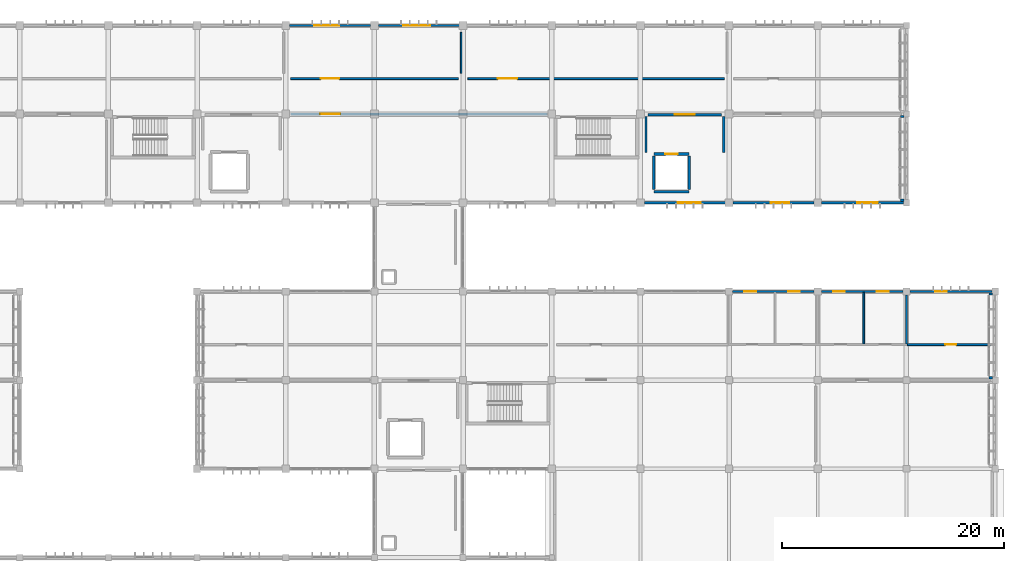
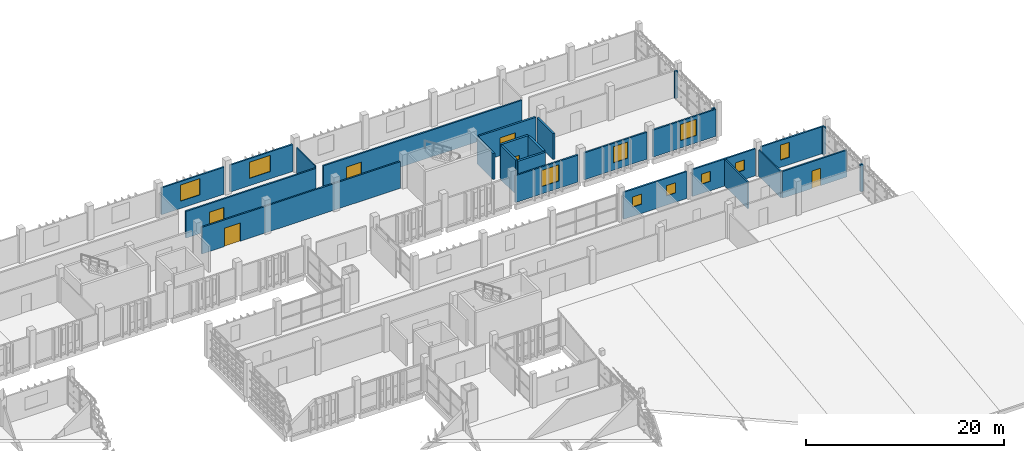
# One storey, part 73 of 83: 26 walls, 10 windows, 6 doors, 16 openings.
"""IFC4 building model written with IfcOpenShell, lengths in metres."""

from ifc_helpers import new_model, si_unit, direction, frame, frame_2d, origin, place, context, subcontext, project, spatial, rectangle, extrude, material, layer, layer_set, type_object, element, fill, save


model = new_model("IFC4")

# Units and contexts
model_context = context("Model", 3, precision=1e-05, world=origin(), true_north=direction((0.0, 1.0)))
body_context = subcontext(model_context, "Body", "Model", "MODEL_VIEW")
ifc_project = project(units=[si_unit("LENGTHUNIT", "METRE"), si_unit("AREAUNIT", "SQUARE_METRE"), si_unit("VOLUMEUNIT", "CUBIC_METRE"), si_unit("PLANEANGLEUNIT", "RADIAN"), si_unit("MASSUNIT", "GRAM", prefix="KILO")], contexts=[model_context])

# Site, building, storey
site_placement = place(None, origin())
site = spatial("IfcSite", under=ifc_project, at=site_placement, CompositionType="ELEMENT")
building_placement = place(site_placement, origin())
building = spatial("IfcBuilding", under=site, at=building_placement, Name="Jelvoka-Kovrelna Polytechnic", CompositionType="ELEMENT")
storey_placement = place(building_placement, frame((0.0, 0.0, 13.800048828125)))
storey = spatial("IfcBuildingStorey", under=building, at=storey_placement, Name="L04", CompositionType="ELEMENT", Elevation=13.800048828125)

# Wall, opening, door
ifc_material_1 = material(Name="Concrete C35/45", Category="concrete")
ifc_layer_1 = layer(ifc_material_1, 0.219970703125)
ifc_layer_set_1 = layer_set([ifc_layer_1], Name="Concrete C35/45")
wall_type_1 = type_object("IfcWallType", Name="Wall_Compartment_220", PredefinedType="PARTITIONING", material=ifc_layer_set_1)
wall_1_placement = place(storey_placement, frame((168.699951171875, 63.949951171875, 0.0), z_axis=(0.0, 0.0, 1.0), x_axis=(1.0, 0.0, 0.0)))
wall_1 = element("IfcWall", 1, at=wall_1_placement, inside=storey, type_object=wall_type_1, Name="L04 interior wall 0360", PredefinedType="PARTITIONING", context=body_context, shape_type="SweptSolid", body=[
    extrude(rectangle(XDim=6.60009765625, YDim=0.219970703125, at=frame_2d((3.300048828125, 0.0))), origin(), (0.0, 0.0, 1.0), 3.27490234375),
])
opening_1_placement = place(wall_1_placement, frame((2.39990234375, 0.0, 0.0)))
opening_1 = element("IfcOpeningElement", 2, at=opening_1_placement, cuts=wall_1, Name="Opening FD-L04-077", PredefinedType="OPENING", context=body_context, shape_type="SweptSolid", body=[
    extrude(rectangle(XDim=1.800048828125, YDim=2.199951171875, at=frame_2d((0.89990234375, 1.10009765625))), frame((0.0, 0.119873046875, 0.0), z_axis=(0.0, -1.0, 0.0), x_axis=(1.0, 0.0, 0.0)), (0.0, 0.0, 1.0), 0.239990234375),
])
ifc_material_2 = material(Name="Paired steel corridor fire door", Category="steel")
door_type_1 = type_object("IfcDoorType", Name="Door_Fire_FD03", OperationType="NOTDEFINED", PredefinedType="DOOR", material=ifc_material_2)
door_1_placement = place(opening_1_placement, origin())
door_1 = element("IfcDoor", 3, at=door_1_placement, inside=storey, type_object=door_type_1, Name="L04 interior door FD-L04-077", OperationType="DOUBLE_DOOR_SINGLE_SWING", OverallHeight=2.199951171875, OverallWidth=1.800048828125, PredefinedType="DOOR", context=body_context, shape_type="SweptSolid", body=[
    extrude(rectangle(XDim=1.800048828125, YDim=2.199951171875, at=frame_2d((0.89990234375, 1.10009765625))), frame((0.0, 0.02490234375, 0.0), z_axis=(0.0, -1.0, 0.0), x_axis=(1.0, 0.0, 0.0)), (0.0, 0.0, 1.0), 0.050048828125),
])
fill(opening_1, door_1)

# Walls
for number, where, z_axis, x_axis, name in (
    (4, (168.5, 60.550048828125, 0.0), (0.0, 0.0, 1.0), (0.0, 1.0, 0.0), "L04 interior wall 0361"),
    (5, (175.5, 60.550048828125, 0.0), (0.0, 0.0, 1.0), (0.0, 1.0, 0.0), "L04 interior wall 0362"),
):
    element("IfcWall", number, at=place(storey_placement, frame(where, z_axis=z_axis, x_axis=x_axis)), inside=storey, type_object=wall_type_1, Name=name, PredefinedType="PARTITIONING", context=body_context, shape_type="SweptSolid", body=[
        extrude(rectangle(XDim=3.25, YDim=0.219970703125, at=frame_2d((1.625, 0.0))), origin(), (0.0, 0.0, 1.0), 3.224853515625),
    ])
ifc_material_3 = material(Name="Concrete C40/50", Category="concrete")
ifc_layer_2 = layer(ifc_material_3, 0.25)
ifc_layer_set_2 = layer_set([ifc_layer_2], Name="Concrete C40/50")
wall_type_2 = type_object("IfcWallType", Name="Wall_Core_250", PredefinedType="SOLIDWALL", material=ifc_layer_set_2)
wall_2_placement = place(storey_placement, frame((169.199951171875, 57.0, 0.0), z_axis=(0.0, 0.0, 1.0), x_axis=(1.0, 0.0, 0.0)))
element("IfcWall", 6, at=wall_2_placement, inside=storey, type_object=wall_type_2, Name="L04 interior wall 0356", PredefinedType="SOLIDWALL", context=body_context, shape_type="SweptSolid", body=[
    extrude(rectangle(XDim=3.199951171875, YDim=0.25, at=frame_2d((1.60009765625, 0.0))), origin(), (0.0, 0.0, 1.0), 4.199951171875),
])

# Wall, opening, door
wall_3_placement = place(storey_placement, frame((169.199951171875, 60.39990234375, 0.0), z_axis=(0.0, 0.0, 1.0), x_axis=(1.0, 0.0, 0.0)))
wall_3 = element("IfcWall", 7, at=wall_3_placement, inside=storey, type_object=wall_type_2, Name="L04 interior wall 0357", PredefinedType="SOLIDWALL", context=body_context, shape_type="SweptSolid", body=[
    extrude(rectangle(XDim=3.199951171875, YDim=0.25, at=frame_2d((1.60009765625, 0.0))), origin(), (0.0, 0.0, 1.0), 4.199951171875),
])
opening_2_placement = place(wall_3_placement, frame((1.050048828125, 0.0, 0.0)))
opening_2 = element("IfcOpeningElement", 8, at=opening_2_placement, cuts=wall_3, Name="Opening LD-L04-14", PredefinedType="OPENING", context=body_context, shape_type="SweptSolid", body=[
    extrude(rectangle(XDim=1.10009765625, YDim=2.14990234375, at=frame_2d((0.550048828125, 1.074951171875))), frame((0.0, 0.135009765625, 0.0), z_axis=(0.0, -1.0, 0.0), x_axis=(1.0, 0.0, 0.0)), (0.0, 0.0, 1.0), 0.27001953125),
])
ifc_material_4 = material(Name="Brushed stainless steel sliding landing door", Category="steel")
door_type_2 = type_object("IfcDoorType", Name="Door_Lift_LD01", OperationType="NOTDEFINED", PredefinedType="DOOR", material=ifc_material_4)
door_2_placement = place(opening_2_placement, origin())
door_2 = element("IfcDoor", 9, at=door_2_placement, inside=storey, type_object=door_type_2, Name="L04 lift landing sliding door LD-L04-14", OperationType="DOUBLE_DOOR_SLIDING", OverallHeight=2.14990234375, OverallWidth=1.10009765625, PredefinedType="DOOR", context=body_context, shape_type="SweptSolid", body=[
    extrude(rectangle(XDim=1.10009765625, YDim=2.14990234375, at=frame_2d((0.550048828125, 1.074951171875))), frame((0.0, 0.02490234375, 0.0), z_axis=(0.0, -1.0, 0.0), x_axis=(1.0, 0.0, 0.0)), (0.0, 0.0, 1.0), 0.050048828125),
])
fill(opening_2, door_2)

# Walls
for number, where, z_axis, x_axis, name in (
    (10, (169.199951171875, 57.199951171875, 0.0), (0.0, 0.0, 1.0), (0.0, 1.0, 0.0), "L04 interior wall 0358"),
    (11, (172.39990234375, 57.199951171875, 0.0), (0.0, 0.0, 1.0), (0.0, 1.0, 0.0), "L04 interior wall 0359"),
):
    element("IfcWall", number, at=place(storey_placement, frame(where, z_axis=z_axis, x_axis=x_axis)), inside=storey, type_object=wall_type_2, Name=name, PredefinedType="SOLIDWALL", context=body_context, shape_type="SweptSolid", body=[
        extrude(rectangle(XDim=3.0, YDim=0.25, at=frame_2d((1.5, 0.0))), origin(), (0.0, 0.0, 1.0), 4.199951171875),
    ])

# Wall, opening, door
ifc_material_5 = material(Name="Autoclaved aerated concrete blockwork", Category="masonry")
ifc_layer_3 = layer(ifc_material_5, 0.179931640625)
ifc_layer_set_3 = layer_set([ifc_layer_3], Name="Autoclaved aerated concrete blockwork")
wall_type_3 = type_object("IfcWallType", Name="Wall_Corridor_180", PredefinedType="PARTITIONING", material=ifc_layer_set_3)
wall_4_placement = place(storey_placement, frame((192.074951171875, 43.199951171875, 0.0), z_axis=(0.0, 0.0, 1.0), x_axis=(1.0, 0.0, 0.0)))
wall_4 = element("IfcWall", 12, at=wall_4_placement, inside=storey, type_object=wall_type_3, Name="L04 interior wall 1134", PredefinedType="PARTITIONING", context=body_context, shape_type="SweptSolid", body=[
    extrude(rectangle(XDim=7.4951171875, YDim=0.179931640625, at=frame_2d((3.74755859375, 0.0))), origin(), (0.0, 0.0, 1.0), 3.300048828125),
])
opening_3_placement = place(wall_4_placement, frame((3.425048828125, 0.0, 0.0)))
opening_3 = element("IfcOpeningElement", 13, at=opening_3_placement, cuts=wall_4, Name="Opening D-L04-349", PredefinedType="OPENING", context=body_context, shape_type="SweptSolid", body=[
    extrude(rectangle(XDim=1.0, YDim=2.14990234375, at=frame_2d((0.5, 1.074951171875))), frame((0.0, 0.099853515625, 0.0), z_axis=(0.0, -1.0, 0.0), x_axis=(1.0, 0.0, 0.0)), (0.0, 0.0, 1.0), 0.199951171875),
])
ifc_material_6 = material(Name="Hardwood acoustic seminar door", Category="wood")
door_type_3 = type_object("IfcDoorType", Name="Door_Int_D08", OperationType="NOTDEFINED", PredefinedType="DOOR", material=ifc_material_6)
door_3_placement = place(opening_3_placement, origin())
door_3 = element("IfcDoor", 14, at=door_3_placement, inside=storey, type_object=door_type_3, Name="L04 interior door D-L04-349", OperationType="SINGLE_SWING_LEFT", OverallHeight=2.14990234375, OverallWidth=1.0, PredefinedType="DOOR", context=body_context, shape_type="SweptSolid", body=[
    extrude(rectangle(XDim=1.0, YDim=2.14990234375, at=frame_2d((0.5, 1.074951171875))), frame((0.0, 0.02490234375, 0.0), z_axis=(0.0, -1.0, 0.0), x_axis=(1.0, 0.0, 0.0)), (0.0, 0.0, 1.0), 0.050048828125),
])
fill(opening_3, door_3)

wall_5_placement = place(storey_placement, frame((136.429931640625, 64.0, 0.0), z_axis=(0.0, 0.0, 1.0), x_axis=(1.0, 0.0, 0.0)))
wall_5 = element("IfcWall", 15, at=wall_5_placement, inside=storey, type_object=wall_type_3, Name="L04 interior wall 1139", PredefinedType="PARTITIONING", context=body_context, shape_type="SweptSolid", body=[
    extrude(rectangle(XDim=23.14013671875, YDim=0.179931640625, at=frame_2d((11.570068359375, 0.0))), origin(), (0.0, 0.0, 1.0), 3.27490234375),
])
opening_4_placement = place(wall_5_placement, frame((2.659912109375, 0.0, 0.0)))
opening_4 = element("IfcOpeningElement", 16, at=opening_4_placement, cuts=wall_5, Name="Opening D-L04-353", PredefinedType="OPENING", context=body_context, shape_type="SweptSolid", body=[
    extrude(rectangle(XDim=1.820068359375, YDim=2.25, at=frame_2d((0.91015625, 1.125))), frame((0.0, 0.099853515625, 0.0), z_axis=(0.0, -1.0, 0.0), x_axis=(1.0, 0.0, 0.0)), (0.0, 0.0, 1.0), 0.199951171875),
])
ifc_material_7 = material(Name="Paired hardwood fire-resisting assembly door", Category="wood")
door_type_4 = type_object("IfcDoorType", Name="Door_Fire_FD30_10", OperationType="NOTDEFINED", PredefinedType="DOOR", material=ifc_material_7)
door_4_placement = place(opening_4_placement, origin())
door_4 = element("IfcDoor", 17, at=door_4_placement, inside=storey, type_object=door_type_4, Name="L04 interior door D-L04-353", OperationType="DOUBLE_DOOR_SINGLE_SWING", OverallHeight=2.25, OverallWidth=1.820068359375, PredefinedType="DOOR", context=body_context, shape_type="SweptSolid", body=[
    extrude(rectangle(XDim=1.820068359375, YDim=2.25, at=frame_2d((0.91015625, 1.125))), frame((0.0, 0.02490234375, 0.0), z_axis=(0.0, -1.0, 0.0), x_axis=(1.0, 0.0, 0.0)), (0.0, 0.0, 1.0), 0.050048828125),
])
fill(opening_4, door_4)

wall_6_placement = place(storey_placement, frame((136.429931640625, 67.199951171875, 0.0), z_axis=(0.0, 0.0, 1.0), x_axis=(1.0, 0.0, 0.0)))
wall_6 = element("IfcWall", 18, at=wall_6_placement, inside=storey, type_object=wall_type_3, Name="L04 interior wall 1146", PredefinedType="PARTITIONING", context=body_context, shape_type="SweptSolid", body=[
    extrude(rectangle(XDim=15.14013671875, YDim=0.179931640625, at=frame_2d((7.570068359375, 0.0))), origin(), (0.0, 0.0, 1.0), 3.300048828125),
])
opening_5_placement = place(wall_6_placement, frame((2.72998046875, 0.0, 0.0)))
opening_5 = element("IfcOpeningElement", 19, at=opening_5_placement, cuts=wall_6, Name="Opening D-L04-358", PredefinedType="OPENING", context=body_context, shape_type="SweptSolid", body=[
    extrude(rectangle(XDim=1.679931640625, YDim=2.25, at=frame_2d((0.83984375, 1.125))), frame((0.0, 0.099853515625, 0.0), z_axis=(0.0, -1.0, 0.0), x_axis=(1.0, 0.0, 0.0)), (0.0, 0.0, 1.0), 0.199951171875),
])
ifc_material_8 = material(Name="Paired acoustic lecture theatre door", Category="wood")
door_type_5 = type_object("IfcDoorType", Name="Door_Int_D20", OperationType="NOTDEFINED", PredefinedType="DOOR", material=ifc_material_8)
door_5_placement = place(opening_5_placement, origin())
door_5 = element("IfcDoor", 20, at=door_5_placement, inside=storey, type_object=door_type_5, Name="L04 interior door D-L04-358", OperationType="DOUBLE_DOOR_SINGLE_SWING", OverallHeight=2.25, OverallWidth=1.679931640625, PredefinedType="DOOR", context=body_context, shape_type="SweptSolid", body=[
    extrude(rectangle(XDim=1.679931640625, YDim=2.25, at=frame_2d((0.83984375, 1.125))), frame((0.0, 0.02490234375, 0.0), z_axis=(0.0, -1.0, 0.0), x_axis=(1.0, 0.0, 0.0)), (0.0, 0.0, 1.0), 0.050048828125),
])
fill(opening_5, door_5)

wall_7_placement = place(storey_placement, frame((152.429931640625, 67.199951171875, 0.0), z_axis=(0.0, 0.0, 1.0), x_axis=(1.0, 0.0, 0.0)))
wall_7 = element("IfcWall", 21, at=wall_7_placement, inside=storey, type_object=wall_type_3, Name="L04 interior wall 1148", PredefinedType="PARTITIONING", context=body_context, shape_type="SweptSolid", body=[
    extrude(rectangle(XDim=23.14013671875, YDim=0.179931640625, at=frame_2d((11.570068359375, 0.0))), origin(), (0.0, 0.0, 1.0), 3.300048828125),
])
opening_6_placement = place(wall_7_placement, frame((2.699951171875, 0.0, 0.0)))
opening_6 = element("IfcOpeningElement", 22, at=opening_6_placement, cuts=wall_7, Name="Opening D-L04-359", PredefinedType="OPENING", context=body_context, shape_type="SweptSolid", body=[
    extrude(rectangle(XDim=1.739990234375, YDim=2.219970703125, at=frame_2d((0.8701171875, 1.10986328125))), frame((0.0, 0.099853515625, 0.0), z_axis=(0.0, -1.0, 0.0), x_axis=(1.0, 0.0, 0.0)), (0.0, 0.0, 1.0), 0.199951171875),
])
ifc_material_9 = material(Name="Paired hardwood fire-resisting refectory door", Category="wood")
door_type_6 = type_object("IfcDoorType", Name="Door_Fire_FD30_09", OperationType="NOTDEFINED", PredefinedType="DOOR", material=ifc_material_9)
door_6_placement = place(opening_6_placement, origin())
door_6 = element("IfcDoor", 23, at=door_6_placement, inside=storey, type_object=door_type_6, Name="L04 interior door D-L04-359", OperationType="DOUBLE_DOOR_SINGLE_SWING", OverallHeight=2.219970703125, OverallWidth=1.739990234375, PredefinedType="DOOR", context=body_context, shape_type="SweptSolid", body=[
    extrude(rectangle(XDim=1.739990234375, YDim=2.219970703125, at=frame_2d((0.8701171875, 1.10986328125))), frame((0.0, 0.02490234375, 0.0), z_axis=(0.0, -1.0, 0.0), x_axis=(1.0, 0.0, 0.0)), (0.0, 0.0, 1.0), 0.050048828125),
])
fill(opening_6, door_6)

# Wall, openings, windows
ifc_material_10 = material(Name="Precast concrete C40/50", Category="concrete")
ifc_layer_4 = layer(ifc_material_10, 0.18505859375)
ifc_layer_set_4 = layer_set([ifc_layer_4], Name="Precast concrete C40/50")
wall_type_4 = type_object("IfcWallType", Name="Wall_Ext_White_260", PredefinedType="STANDARD", material=ifc_layer_set_4)
wall_8_placement = place(storey_placement, frame((176.322021484375, 48.0, 0.0), z_axis=(0.0, 0.0, 1.0), x_axis=(1.0, 0.0, 0.0)))
wall_8 = element("IfcWall", 24, at=wall_8_placement, inside=storey, type_object=wall_type_4, Name="L04 exterior wall 0495", PredefinedType="STANDARD", context=body_context, shape_type="SweptSolid", body=[
    extrude(rectangle(XDim=7.35595703125, YDim=0.18505859375, at=frame_2d((3.677978515625, 0.0))), origin(), (0.0, 0.0, 1.0), 3.324951171875),
])
opening_7_placement = place(wall_8_placement, frame((1.05810546875, 0.0, 1.14990234375)))
opening_7 = element("IfcOpeningElement", 25, at=opening_7_placement, cuts=wall_8, Name="Opening W-L04-200", PredefinedType="OPENING", context=body_context, shape_type="SweptSolid", body=[
    extrude(rectangle(XDim=1.050048828125, YDim=1.25, at=frame_2d((0.52490234375, 0.625))), frame((0.0, 0.1025390625, 0.0), z_axis=(0.0, -1.0, 0.0), x_axis=(1.0, 0.0, 0.0)), (0.0, 0.0, 1.0), 0.205078125),
])
opening_8_placement = place(wall_8_placement, frame((5.008056640625, 0.0, 1.14990234375)))
opening_8 = element("IfcOpeningElement", 26, at=opening_8_placement, cuts=wall_8, Name="Opening W-L04-201", PredefinedType="OPENING", context=body_context, shape_type="SweptSolid", body=[
    extrude(rectangle(XDim=1.050048828125, YDim=1.25, at=frame_2d((0.52490234375, 0.625))), frame((0.0, 0.1025390625, 0.0), z_axis=(0.0, -1.0, 0.0), x_axis=(1.0, 0.0, 0.0)), (0.0, 0.0, 1.0), 0.205078125),
])
ifc_material_11 = material(Name="Thermally broken anodised aluminium and low-e glazing", Category="aluminium")
window_type_1 = type_object("IfcWindowType", Name="Win_Casement_W01", PartitioningType="SINGLE_PANEL", PredefinedType="WINDOW", material=ifc_material_11)
window_1_placement = place(opening_7_placement, origin())
window_1 = element("IfcWindow", 27, at=window_1_placement, inside=storey, type_object=window_type_1, Name="L04 aluminium casement window W-L04-200", OverallHeight=1.25, OverallWidth=1.050048828125, PartitioningType="SINGLE_PANEL", PredefinedType="WINDOW", context=body_context, shape_type="SweptSolid", body=[
    extrude(rectangle(XDim=1.050048828125, YDim=1.25, at=frame_2d((0.52490234375, 0.625))), frame((0.0, 0.030029296875, 0.0), z_axis=(0.0, -1.0, 0.0), x_axis=(1.0, 0.0, 0.0)), (0.0, 0.0, 1.0), 0.06005859375),
])
fill(opening_7, window_1)
window_2_placement = place(opening_8_placement, origin())
window_2 = element("IfcWindow", 28, at=window_2_placement, inside=storey, type_object=window_type_1, Name="L04 aluminium casement window W-L04-201", OverallHeight=1.25, OverallWidth=1.050048828125, PartitioningType="SINGLE_PANEL", PredefinedType="WINDOW", context=body_context, shape_type="SweptSolid", body=[
    extrude(rectangle(XDim=1.050048828125, YDim=1.25, at=frame_2d((0.52490234375, 0.625))), frame((0.0, 0.030029296875, 0.0), z_axis=(0.0, -1.0, 0.0), x_axis=(1.0, 0.0, 0.0)), (0.0, 0.0, 1.0), 0.06005859375),
])
fill(opening_8, window_2)

wall_9_placement = place(storey_placement, frame((184.322021484375, 48.0, 0.0), z_axis=(0.0, 0.0, 1.0), x_axis=(1.0, 0.0, 0.0)))
wall_9 = element("IfcWall", 29, at=wall_9_placement, inside=storey, type_object=wall_type_4, Name="L04 exterior wall 0496", PredefinedType="STANDARD", context=body_context, shape_type="SweptSolid", body=[
    extrude(rectangle(XDim=7.380859375, YDim=0.18505859375, at=frame_2d((3.6904296875, 0.0))), origin(), (0.0, 0.0, 1.0), 3.324951171875),
])
opening_9_placement = place(wall_9_placement, frame((1.05810546875, 0.0, 1.14990234375)))
opening_9 = element("IfcOpeningElement", 30, at=opening_9_placement, cuts=wall_9, Name="Opening W-L04-202", PredefinedType="OPENING", context=body_context, shape_type="SweptSolid", body=[
    extrude(rectangle(XDim=1.050048828125, YDim=1.25, at=frame_2d((0.52490234375, 0.625))), frame((0.0, 0.1025390625, 0.0), z_axis=(0.0, -1.0, 0.0), x_axis=(1.0, 0.0, 0.0)), (0.0, 0.0, 1.0), 0.205078125),
])
opening_10_placement = place(wall_9_placement, frame((5.008056640625, 0.0, 1.14990234375)))
opening_10 = element("IfcOpeningElement", 31, at=opening_10_placement, cuts=wall_9, Name="Opening W-L04-203", PredefinedType="OPENING", context=body_context, shape_type="SweptSolid", body=[
    extrude(rectangle(XDim=1.050048828125, YDim=1.25, at=frame_2d((0.52490234375, 0.625))), frame((0.0, 0.1025390625, 0.0), z_axis=(0.0, -1.0, 0.0), x_axis=(1.0, 0.0, 0.0)), (0.0, 0.0, 1.0), 0.205078125),
])
window_3_placement = place(opening_9_placement, origin())
window_3 = element("IfcWindow", 32, at=window_3_placement, inside=storey, type_object=window_type_1, Name="L04 aluminium casement window W-L04-202", OverallHeight=1.25, OverallWidth=1.050048828125, PartitioningType="SINGLE_PANEL", PredefinedType="WINDOW", context=body_context, shape_type="SweptSolid", body=[
    extrude(rectangle(XDim=1.050048828125, YDim=1.25, at=frame_2d((0.52490234375, 0.625))), frame((0.0, 0.030029296875, 0.0), z_axis=(0.0, -1.0, 0.0), x_axis=(1.0, 0.0, 0.0)), (0.0, 0.0, 1.0), 0.06005859375),
])
fill(opening_9, window_3)
window_4_placement = place(opening_10_placement, origin())
window_4 = element("IfcWindow", 33, at=window_4_placement, inside=storey, type_object=window_type_1, Name="L04 aluminium casement window W-L04-203", OverallHeight=1.25, OverallWidth=1.050048828125, PartitioningType="SINGLE_PANEL", PredefinedType="WINDOW", context=body_context, shape_type="SweptSolid", body=[
    extrude(rectangle(XDim=1.050048828125, YDim=1.25, at=frame_2d((0.52490234375, 0.625))), frame((0.0, 0.030029296875, 0.0), z_axis=(0.0, -1.0, 0.0), x_axis=(1.0, 0.0, 0.0)), (0.0, 0.0, 1.0), 0.06005859375),
])
fill(opening_10, window_4)

# Wall, opening, window
wall_10_placement = place(storey_placement, frame((192.297119140625, 48.0, 0.0), z_axis=(0.0, 0.0, 1.0), x_axis=(1.0, 0.0, 0.0)))
wall_10 = element("IfcWall", 34, at=wall_10_placement, inside=storey, type_object=wall_type_4, Name="L04 exterior wall 0497", PredefinedType="STANDARD", context=body_context, shape_type="SweptSolid", body=[
    extrude(rectangle(XDim=7.40576171875, YDim=0.18505859375, at=frame_2d((3.702880859375, 0.0))), origin(), (0.0, 0.0, 1.0), 3.324951171875),
])
opening_11_placement = place(wall_10_placement, frame((2.282958984375, 0.0, 0.89990234375)))
opening_11 = element("IfcOpeningElement", 35, at=opening_11_placement, cuts=wall_10, Name="Opening W-L04-204", PredefinedType="OPENING", context=body_context, shape_type="SweptSolid", body=[
    extrude(rectangle(XDim=1.050048828125, YDim=1.85009765625, at=frame_2d((0.52490234375, 0.925048828125))), frame((0.0, 0.1025390625, 0.0), z_axis=(0.0, -1.0, 0.0), x_axis=(1.0, 0.0, 0.0)), (0.0, 0.0, 1.0), 0.205078125),
])
ifc_material_12 = material(Name="Thermally broken anodised aluminium and low-e glazing", Category="aluminium")
window_type_2 = type_object("IfcWindowType", Name="Win_Casement_W41", PartitioningType="SINGLE_PANEL", PredefinedType="WINDOW", material=ifc_material_12)
window_5_placement = place(opening_11_placement, origin())
window_5 = element("IfcWindow", 36, at=window_5_placement, inside=storey, type_object=window_type_2, Name="L04 aluminium casement window W-L04-204", OverallHeight=1.85009765625, OverallWidth=1.050048828125, PartitioningType="SINGLE_PANEL", PredefinedType="WINDOW", context=body_context, shape_type="SweptSolid", body=[
    extrude(rectangle(XDim=1.050048828125, YDim=1.85009765625, at=frame_2d((0.52490234375, 0.925048828125))), frame((0.0, 0.030029296875, 0.0), z_axis=(0.0, -1.0, 0.0), x_axis=(1.0, 0.0, 0.0)), (0.0, 0.0, 1.0), 0.06005859375),
])
fill(opening_11, window_5)

wall_11_placement = place(storey_placement, frame((136.346923828125, 72.0, 0.0), z_axis=(0.0, 0.0, 1.0), x_axis=(1.0, 0.0, 0.0)))
wall_11 = element("IfcWall", 37, at=wall_11_placement, inside=storey, type_object=wall_type_4, Name="L04 exterior wall 0695", PredefinedType="STANDARD", context=body_context, shape_type="SweptSolid", body=[
    extrude(rectangle(XDim=7.30615234375, YDim=0.18505859375, at=frame_2d((3.653076171875, 0.0))), origin(), (0.0, 0.0, 1.0), 3.324951171875),
])
opening_12_placement = place(wall_11_placement, frame((2.23291015625, 0.0, 0.89990234375)))
opening_12 = element("IfcOpeningElement", 38, at=opening_12_placement, cuts=wall_11, Name="Opening W-L04-361", PredefinedType="OPENING", context=body_context, shape_type="SweptSolid", body=[
    extrude(rectangle(XDim=2.25, YDim=2.0, at=frame_2d((1.125, 1.0))), frame((0.0, 0.1025390625, 0.0), z_axis=(0.0, -1.0, 0.0), x_axis=(1.0, 0.0, 0.0)), (0.0, 0.0, 1.0), 0.205078125),
])
ifc_material_13 = material(Name="Thermally broken anodised aluminium and low-e glazing", Category="aluminium")
window_type_3 = type_object("IfcWindowType", Name="Win_Casement_W57", PartitioningType="DOUBLE_PANEL_VERTICAL", PredefinedType="WINDOW", material=ifc_material_13)
window_6_placement = place(opening_12_placement, origin())
window_6 = element("IfcWindow", 39, at=window_6_placement, inside=storey, type_object=window_type_3, Name="L04 aluminium casement window W-L04-361", OverallHeight=2.0, OverallWidth=2.25, PartitioningType="DOUBLE_PANEL_VERTICAL", PredefinedType="WINDOW", context=body_context, shape_type="SweptSolid", body=[
    extrude(rectangle(XDim=2.25, YDim=2.0, at=frame_2d((1.125, 1.0))), frame((0.0, 0.030029296875, 0.0), z_axis=(0.0, -1.0, 0.0), x_axis=(1.0, 0.0, 0.0)), (0.0, 0.0, 1.0), 0.06005859375),
])
fill(opening_12, window_6)

wall_12_placement = place(storey_placement, frame((144.346923828125, 72.0, 0.0), z_axis=(0.0, 0.0, 1.0), x_axis=(1.0, 0.0, 0.0)))
wall_12 = element("IfcWall", 40, at=wall_12_placement, inside=storey, type_object=wall_type_4, Name="L04 exterior wall 0696", PredefinedType="STANDARD", context=body_context, shape_type="SweptSolid", body=[
    extrude(rectangle(XDim=7.30615234375, YDim=0.18505859375, at=frame_2d((3.653076171875, 0.0))), origin(), (0.0, 0.0, 1.0), 3.324951171875),
])
opening_13_placement = place(wall_12_placement, frame((2.23291015625, 0.0, 0.89990234375)))
opening_13 = element("IfcOpeningElement", 41, at=opening_13_placement, cuts=wall_12, Name="Opening W-L04-362", PredefinedType="OPENING", context=body_context, shape_type="SweptSolid", body=[
    extrude(rectangle(XDim=2.449951171875, YDim=2.0, at=frame_2d((1.22509765625, 1.0))), frame((0.0, 0.1025390625, 0.0), z_axis=(0.0, -1.0, 0.0), x_axis=(1.0, 0.0, 0.0)), (0.0, 0.0, 1.0), 0.205078125),
])
ifc_material_14 = material(Name="Thermally broken anodised aluminium and low-e glazing", Category="aluminium")
window_type_4 = type_object("IfcWindowType", Name="Win_Casement_W58", PartitioningType="DOUBLE_PANEL_VERTICAL", PredefinedType="WINDOW", material=ifc_material_14)
window_7_placement = place(opening_13_placement, origin())
window_7 = element("IfcWindow", 42, at=window_7_placement, inside=storey, type_object=window_type_4, Name="L04 aluminium casement window W-L04-362", OverallHeight=2.0, OverallWidth=2.449951171875, PartitioningType="DOUBLE_PANEL_VERTICAL", PredefinedType="WINDOW", context=body_context, shape_type="SweptSolid", body=[
    extrude(rectangle(XDim=2.449951171875, YDim=2.0, at=frame_2d((1.22509765625, 1.0))), frame((0.0, 0.030029296875, 0.0), z_axis=(0.0, -1.0, 0.0), x_axis=(1.0, 0.0, 0.0)), (0.0, 0.0, 1.0), 0.06005859375),
])
fill(opening_13, window_7)

wall_13_placement = place(storey_placement, frame((175.653076171875, 56.0, 0.0), z_axis=(0.0, 0.0, 1.0), x_axis=(-1.0, 0.0, 0.0)))
wall_13 = element("IfcWall", 43, at=wall_13_placement, inside=storey, type_object=wall_type_4, Name="L04 exterior wall 0701", PredefinedType="STANDARD", context=body_context, shape_type="SweptSolid", body=[
    extrude(rectangle(XDim=7.30615234375, YDim=0.18505859375, at=frame_2d((3.653076171875, 0.0))), origin(), (0.0, 0.0, 1.0), 3.324951171875),
])
opening_14_placement = place(wall_13_placement, frame((2.23291015625, 0.0, 0.89990234375)))
opening_14 = element("IfcOpeningElement", 44, at=opening_14_placement, cuts=wall_13, Name="Opening W-L04-367", PredefinedType="OPENING", context=body_context, shape_type="SweptSolid", body=[
    extrude(rectangle(XDim=2.050048828125, YDim=2.0, at=frame_2d((1.02490234375, 1.0))), frame((0.0, 0.1025390625, 0.0), z_axis=(0.0, -1.0, 0.0), x_axis=(1.0, 0.0, 0.0)), (0.0, 0.0, 1.0), 0.205078125),
])
ifc_material_15 = material(Name="Thermally broken anodised aluminium and low-e glazing", Category="aluminium")
window_type_5 = type_object("IfcWindowType", Name="Win_Casement_W56", PartitioningType="DOUBLE_PANEL_VERTICAL", PredefinedType="WINDOW", material=ifc_material_15)
window_8_placement = place(opening_14_placement, origin())
window_8 = element("IfcWindow", 45, at=window_8_placement, inside=storey, type_object=window_type_5, Name="L04 aluminium casement window W-L04-367", OverallHeight=2.0, OverallWidth=2.050048828125, PartitioningType="DOUBLE_PANEL_VERTICAL", PredefinedType="WINDOW", context=body_context, shape_type="SweptSolid", body=[
    extrude(rectangle(XDim=2.050048828125, YDim=2.0, at=frame_2d((1.02490234375, 1.0))), frame((0.0, 0.030029296875, 0.0), z_axis=(0.0, -1.0, 0.0), x_axis=(1.0, 0.0, 0.0)), (0.0, 0.0, 1.0), 0.06005859375),
])
fill(opening_14, window_8)

wall_14_placement = place(storey_placement, frame((183.653076171875, 56.0, 0.0), z_axis=(0.0, 0.0, 1.0), x_axis=(-1.0, 0.0, 0.0)))
wall_14 = element("IfcWall", 46, at=wall_14_placement, inside=storey, type_object=wall_type_4, Name="L04 exterior wall 0703", PredefinedType="STANDARD", context=body_context, shape_type="SweptSolid", body=[
    extrude(rectangle(XDim=7.30615234375, YDim=0.18505859375, at=frame_2d((3.653076171875, 0.0))), origin(), (0.0, 0.0, 1.0), 3.324951171875),
])
opening_15_placement = place(wall_14_placement, frame((2.23291015625, 0.0, 0.89990234375)))
opening_15 = element("IfcOpeningElement", 47, at=opening_15_placement, cuts=wall_14, Name="Opening W-L04-369", PredefinedType="OPENING", context=body_context, shape_type="SweptSolid", body=[
    extrude(rectangle(XDim=1.64990234375, YDim=2.0, at=frame_2d((0.824951171875, 1.0))), frame((0.0, 0.1025390625, 0.0), z_axis=(0.0, -1.0, 0.0), x_axis=(1.0, 0.0, 0.0)), (0.0, 0.0, 1.0), 0.205078125),
])
ifc_material_16 = material(Name="Thermally broken anodised aluminium and low-e glazing", Category="aluminium")
window_type_6 = type_object("IfcWindowType", Name="Win_Casement_W54", PartitioningType="DOUBLE_PANEL_VERTICAL", PredefinedType="WINDOW", material=ifc_material_16)
window_9_placement = place(opening_15_placement, origin())
window_9 = element("IfcWindow", 48, at=window_9_placement, inside=storey, type_object=window_type_6, Name="L04 aluminium casement window W-L04-369", OverallHeight=2.0, OverallWidth=1.64990234375, PartitioningType="DOUBLE_PANEL_VERTICAL", PredefinedType="WINDOW", context=body_context, shape_type="SweptSolid", body=[
    extrude(rectangle(XDim=1.64990234375, YDim=2.0, at=frame_2d((0.824951171875, 1.0))), frame((0.0, 0.030029296875, 0.0), z_axis=(0.0, -1.0, 0.0), x_axis=(1.0, 0.0, 0.0)), (0.0, 0.0, 1.0), 0.06005859375),
])
fill(opening_15, window_9)

wall_15_placement = place(storey_placement, frame((191.72802734375, 56.0, 0.0), z_axis=(0.0, 0.0, 1.0), x_axis=(-1.0, 0.0, 0.0)))
wall_15 = element("IfcWall", 49, at=wall_15_placement, inside=storey, type_object=wall_type_4, Name="L04 exterior wall 0705", PredefinedType="STANDARD", context=body_context, shape_type="SweptSolid", body=[
    extrude(rectangle(XDim=7.381103515625, YDim=0.18505859375, at=frame_2d((3.6904296875, 0.0))), origin(), (0.0, 0.0, 1.0), 3.324951171875),
])
opening_16_placement = place(wall_15_placement, frame((2.30810546875, 0.0, 0.89990234375)))
opening_16 = element("IfcOpeningElement", 50, at=opening_16_placement, cuts=wall_15, Name="Opening W-L04-371", PredefinedType="OPENING", context=body_context, shape_type="SweptSolid", body=[
    extrude(rectangle(XDim=1.85009765625, YDim=2.0, at=frame_2d((0.925048828125, 1.0))), frame((0.0, 0.1025390625, 0.0), z_axis=(0.0, -1.0, 0.0), x_axis=(1.0, 0.0, 0.0)), (0.0, 0.0, 1.0), 0.205078125),
])
ifc_material_17 = material(Name="Thermally broken anodised aluminium and low-e glazing", Category="aluminium")
window_type_7 = type_object("IfcWindowType", Name="Win_Casement_W55", PartitioningType="DOUBLE_PANEL_VERTICAL", PredefinedType="WINDOW", material=ifc_material_17)
window_10_placement = place(opening_16_placement, origin())
window_10 = element("IfcWindow", 51, at=window_10_placement, inside=storey, type_object=window_type_7, Name="L04 aluminium casement window W-L04-371", OverallHeight=2.0, OverallWidth=1.85009765625, PartitioningType="DOUBLE_PANEL_VERTICAL", PredefinedType="WINDOW", context=body_context, shape_type="SweptSolid", body=[
    extrude(rectangle(XDim=1.85009765625, YDim=2.0, at=frame_2d((0.925048828125, 1.0))), frame((0.0, 0.030029296875, 0.0), z_axis=(0.0, -1.0, 0.0), x_axis=(1.0, 0.0, 0.0)), (0.0, 0.0, 1.0), 0.06005859375),
])
fill(opening_16, window_10)

# Walls
ifc_material_18 = material(Name="Precast concrete C40/50", Category="concrete")
ifc_layer_5 = layer(ifc_material_18, 0.199951171875)
ifc_layer_set_5 = layer_set([ifc_layer_5], Name="Precast concrete C40/50")
wall_type_5 = type_object("IfcWallType", Name="Wall_Parapet_200", PredefinedType="PARAPET", material=ifc_layer_set_5)
for number, where, z_axis, x_axis, name in (
    (52, (199.760009765625, 40.219970703125, 0.0), (0.0, 0.0, 1.0), (-1.0, 0.0, 0.0), "L04 exterior wall 0504"),
    (53, (199.760009765625, 47.780029296875, 0.0), (0.0, 0.0, 1.0), (-1.0, 0.0, 0.0), "L04 exterior wall 0505"),
    (54, (191.760009765625, 56.219970703125, 0.0), (0.0, 0.0, 1.0), (-1.0, 0.0, 0.0), "L04 exterior wall 0707"),
    (55, (191.760009765625, 63.780029296875, 0.0), (0.0, 0.0, 1.0), (-1.0, 0.0, 0.0), "L04 exterior wall 0708"),
):
    element("IfcWall", number, at=place(storey_placement, frame(where, z_axis=z_axis, x_axis=x_axis)), inside=storey, type_object=wall_type_5, Name=name, PredefinedType="PARAPET", context=body_context, shape_type="SweptSolid", body=[
        extrude(rectangle(XDim=0.320068359375, YDim=0.199951171875, at=frame_2d((0.16015625, 0.0))), origin(), (0.0, 0.0, 1.0), 3.349853515625),
    ])
ifc_material_19 = material(Name="Acoustic gypsum stud partition")
ifc_layer_6 = layer(ifc_material_19, 0.125)
ifc_layer_set_6 = layer_set([ifc_layer_6], Name="Acoustic gypsum stud partition")
wall_type_6 = type_object("IfcWallType", Name="Wall_Partition_125", PredefinedType="PARTITIONING", material=ifc_layer_set_6)
wall_16_placement = place(storey_placement, frame((151.820068359375, 67.669921875, 0.0), z_axis=(0.0, 0.0, 1.0), x_axis=(0.0, 1.0, 0.0)))
element("IfcWall", 56, at=wall_16_placement, inside=storey, type_object=wall_type_6, Name="L04 interior wall 1147", PredefinedType="PARTITIONING", context=body_context, shape_type="SweptSolid", body=[
    extrude(rectangle(XDim=3.7099609375, YDim=0.125, at=frame_2d((1.85498046875, 0.0))), origin(), (0.0, 0.0, 1.0), 3.224853515625),
])
ifc_material_20 = material(Name="Autoclaved aerated concrete blockwork", Category="masonry")
ifc_layer_7 = layer(ifc_material_20, 0.14990234375)
ifc_layer_set_7 = layer_set([ifc_layer_7], Name="Autoclaved aerated concrete blockwork")
wall_type_7 = type_object("IfcWallType", Name="Wall_Partition_150", PredefinedType="PARTITIONING", material=ifc_layer_set_7)
wall_17_placement = place(storey_placement, frame((188.14990234375, 43.27490234375, 0.0), z_axis=(0.0, 0.0, 1.0), x_axis=(0.0, 1.0, 0.0)))
element("IfcWall", 57, at=wall_17_placement, inside=storey, type_object=wall_type_7, Name="L04 interior wall 1107", PredefinedType="PARTITIONING", context=body_context, shape_type="SweptSolid", body=[
    extrude(rectangle(XDim=4.632568359375, YDim=0.14990234375, at=frame_2d((2.31640625, 0.0))), origin(), (0.0, 0.0, 1.0), 3.300048828125),
])
wall_18_placement = place(storey_placement, frame((192.0, 43.27490234375, 0.0), z_axis=(0.0, 0.0, 1.0), x_axis=(0.0, 1.0, 0.0)))
element("IfcWall", 58, at=wall_18_placement, inside=storey, type_object=wall_type_7, Name="L04 interior wall 1108", PredefinedType="PARTITIONING", context=body_context, shape_type="SweptSolid", body=[
    extrude(rectangle(XDim=4.425048828125, YDim=0.14990234375, at=frame_2d((2.21240234375, 0.0))), origin(), (0.0, 0.0, 1.0), 3.224853515625),
])

save(model, "model.ifc")
